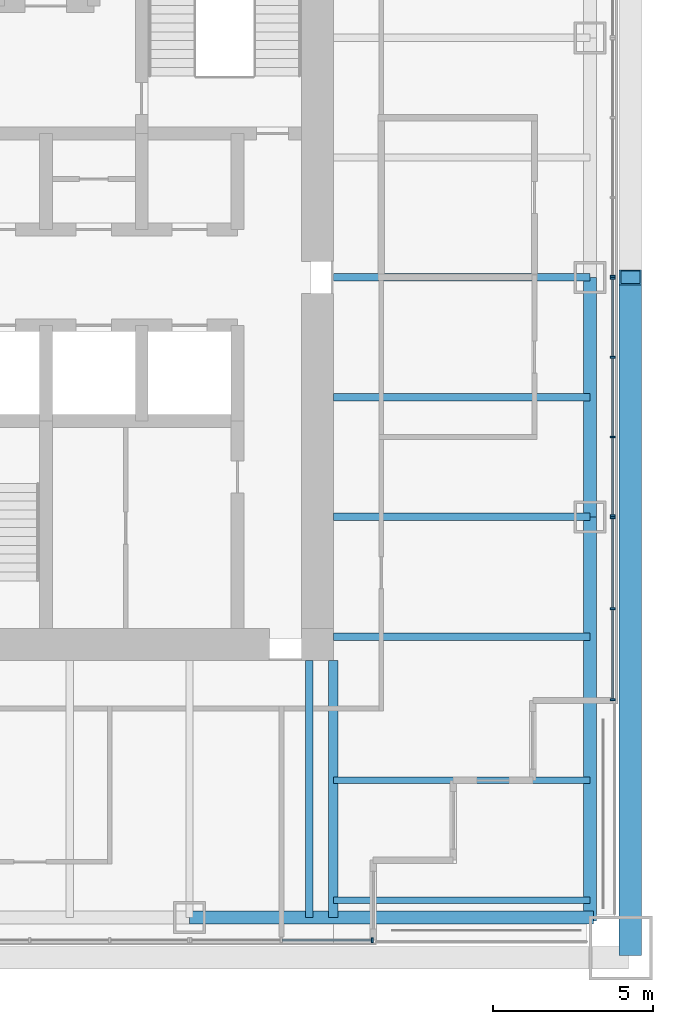
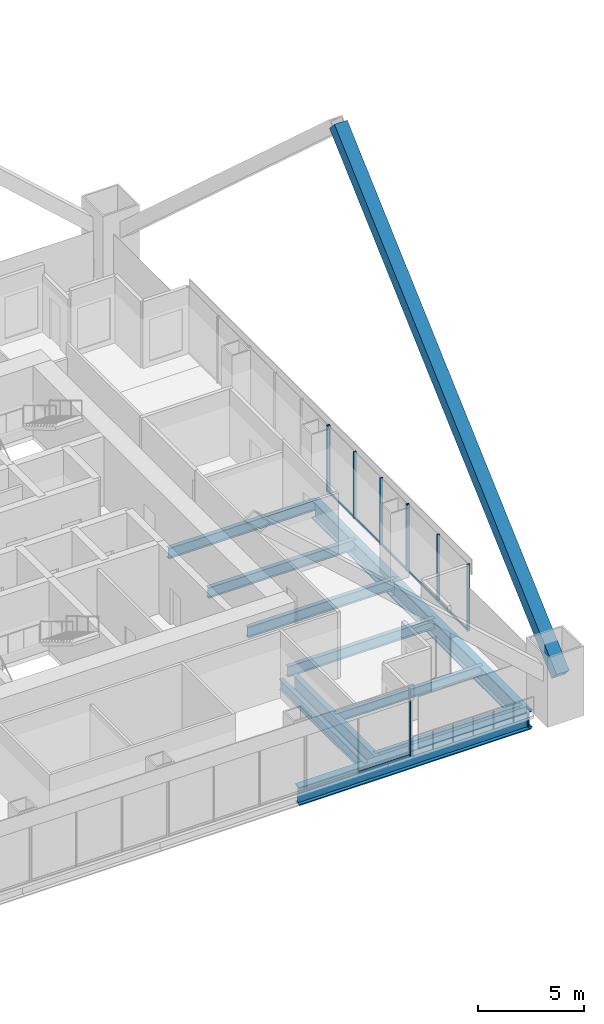
# One storey, part 7 of 18: 16 members, 11 beams, 4 elements without a shape of their own.
"""IFC4 building model written with IfcOpenShell, lengths in metres."""

from ifc_helpers import new_model, si_unit, direction, frame, origin, origin_2d, place, context, subcontext, project, spatial, rectangle, hollow_rectangle, i_section, extrude, material, material_profile, profile_set, type_object, element, aggregate, save


model = new_model("IFC4")

# Units and contexts
model_context = context("Model", 3, precision=1e-05, world=origin(), true_north=direction((0.0, 1.0)))
body_context = subcontext(model_context, "Body", "Model", "MODEL_VIEW")
ifc_project = project(units=[si_unit("LENGTHUNIT", "METRE"), si_unit("AREAUNIT", "SQUARE_METRE"), si_unit("VOLUMEUNIT", "CUBIC_METRE"), si_unit("PLANEANGLEUNIT", "RADIAN"), si_unit("MASSUNIT", "GRAM", prefix="KILO")], contexts=[model_context])

# Site, building, storey
site_placement = place(None, origin())
site = spatial("IfcSite", under=ifc_project, at=site_placement, CompositionType="ELEMENT")
building_placement = place(site_placement, origin())
building = spatial("IfcBuilding", under=site, at=building_placement, Name="Tarangal Relay Tower", CompositionType="ELEMENT")
storey_placement = place(building_placement, frame((0.0, 0.0, 295.89990234375)))
storey = spatial("IfcBuildingStorey", under=building, at=storey_placement, Name="L65", CompositionType="ELEMENT", Elevation=295.89990234375)

# Beams
ifc_material_1 = material(Name="Steel ASTM A992", Category="steel")
ifc_material_profile_1 = material_profile(ifc_material_1, i_section(OverallWidth=0.209228515625, OverallDepth=0.533447265625, WebThickness=0.01025390625, FlangeThickness=0.015625, at=origin_2d()), Name="W21X62")
ifc_profile_set_1 = profile_set([ifc_material_profile_1], Name="Steel ASTM A992")
beam_type_1 = type_object("IfcBeamType", Name="Corner beam W21X62", PredefinedType="JOIST", material=ifc_profile_set_1)
for number, where, z_axis, x_axis, name in (
    (1, (12.0, -15.75, -0.41650390625), (1.0, 0.0, 0.0), (0.0, 1.0, 0.0), "Corner beam CB12 E L65"),
    (2, (12.0, -19.5, -0.41650390625), (1.0, 0.0, 0.0), (0.0, 1.0, 0.0), "Corner beam CB12 E L65"),
):
    element("IfcBeam", number, at=place(storey_placement, frame(where, z_axis=z_axis, x_axis=x_axis)), inside=storey, type_object=beam_type_1, Name=name, PredefinedType="JOIST", context=body_context, shape_type="SweptSolid", body=[
        extrude(i_section(OverallWidth=0.209228515625, OverallDepth=0.533447265625, WebThickness=0.01025390625, FlangeThickness=0.015625, at=origin_2d()), origin(), (0.0, 0.0, 1.0), 8.0400390625),
    ])
ifc_material_profile_2 = material_profile(ifc_material_1, i_section(OverallWidth=0.2919921875, OverallDepth=0.8408203125, WebThickness=0.0146484375, FlangeThickness=0.021728515625, at=origin_2d()), Name="W33X130")
ifc_profile_set_2 = profile_set([ifc_material_profile_2], Name="Steel ASTM A992")
beam_type_2 = type_object("IfcBeamType", Name="Corner girder W33X130", PredefinedType="BEAM", material=ifc_profile_set_2)
beam_1_placement = place(storey_placement, frame((12.0, -12.0, -0.5703125), z_axis=(0.0, -1.0, 0.0), x_axis=(1.0, 0.0, 0.0)))
element("IfcBeam", 3, at=beam_1_placement, inside=storey, type_object=beam_type_2, Name="Corner girder CG5 E L65", PredefinedType="BEAM", context=body_context, shape_type="SweptSolid", body=[
    extrude(i_section(OverallWidth=0.2919921875, OverallDepth=0.8408203125, WebThickness=0.0146484375, FlangeThickness=0.021728515625, at=origin_2d()), origin(), (0.0, 0.0, 1.0), 8.0400390625),
])
ifc_material_profile_3 = material_profile(ifc_material_1, i_section(OverallWidth=0.41162109375, OverallDepth=1.049072265625, WebThickness=0.033935546875, FlangeThickness=0.059814453125, at=origin_2d()), Name="W40X431")
ifc_profile_set_3 = profile_set([ifc_material_profile_3], Name="Steel ASTM A992")
beam_type_3 = type_object("IfcBeamType", Name="Edge girder W40X431", PredefinedType="SPANDREL", material=ifc_profile_set_3)
beam_2_placement = place(storey_placement, frame((20.0400390625, 0.0, -0.67431640625), z_axis=(0.0, -1.0, 0.0), x_axis=(1.0, 0.0, 0.0)))
element("IfcBeam", 4, at=beam_2_placement, inside=storey, type_object=beam_type_3, Name="Edge girder EG1 E L65", PredefinedType="SPANDREL", context=body_context, shape_type="SweptSolid", body=[
    extrude(i_section(OverallWidth=0.41162109375, OverallDepth=1.049072265625, WebThickness=0.033935546875, FlangeThickness=0.059814453125, at=origin_2d()), origin(), (0.0, 0.0, 1.0), 7.5),
])
for number, where, z_axis, x_axis, name in (
    (5, (20.0400390625, -7.5, -0.67431640625), (0.0, -1.0, 0.0), (1.0, 0.0, 0.0), "Edge girder EG1 E L65"),
    (6, (20.14990234375, -20.0400390625, -0.67431640625), (-1.0, 0.0, 0.0), (0.0, -1.0, 0.0), "Edge girder EG1 S L65"),
):
    element("IfcBeam", number, at=place(storey_placement, frame(where, z_axis=z_axis, x_axis=x_axis)), inside=storey, type_object=beam_type_3, Name=name, PredefinedType="SPANDREL", context=body_context, shape_type="SweptSolid", body=[
        extrude(i_section(OverallWidth=0.41162109375, OverallDepth=1.049072265625, WebThickness=0.033935546875, FlangeThickness=0.059814453125, at=origin_2d()), origin(), (0.0, 0.0, 1.0), 12.64990234375),
    ])
ifc_material_profile_4 = material_profile(ifc_material_1, i_section(OverallWidth=0.228271484375, OverallDepth=0.607177734375, WebThickness=0.01123046875, FlangeThickness=0.017333984375, at=origin_2d()), Name="W24X76")
ifc_profile_set_4 = profile_set([ifc_material_profile_4], Name="Steel ASTM A992")
beam_type_4 = type_object("IfcBeamType", Name="Floor beam W24X76", PredefinedType="BEAM", material=ifc_profile_set_4)
for number, where, z_axis, x_axis, name in (
    (7, (12.0, 0.0, -0.453369140625), (1.0, 0.0, 0.0), (0.0, 1.0, 0.0), "Floor beam RB5 E L65"),
    (8, (12.0, -3.75, -0.453369140625), (1.0, 0.0, 0.0), (0.0, 1.0, 0.0), "Floor beam RB5 E L65"),
    (9, (12.0, -7.5, -0.453369140625), (1.0, 0.0, 0.0), (0.0, 1.0, 0.0), "Floor beam RB5 E L65"),
    (10, (12.0, -11.25, -0.453369140625), (1.0, 0.0, 0.0), (0.0, 1.0, 0.0), "Floor beam RB5 E L65"),
    (11, (11.25, -12.0, -0.453369140625), (0.0, -1.0, 0.0), (1.0, 0.0, 0.0), "Floor beam RB5 S L65"),
):
    element("IfcBeam", number, at=place(storey_placement, frame(where, z_axis=z_axis, x_axis=x_axis)), inside=storey, type_object=beam_type_4, Name=name, PredefinedType="BEAM", context=body_context, shape_type="SweptSolid", body=[
        extrude(i_section(OverallWidth=0.228271484375, OverallDepth=0.607177734375, WebThickness=0.01123046875, FlangeThickness=0.017333984375, at=origin_2d()), origin(), (0.0, 0.0, 1.0), 8.0400390625),
    ])

# Member
ifc_material_2 = material(Name="Steel ASTM A572 Grade 50", Category="steel")
ifc_material_profile_5 = material_profile(ifc_material_2, hollow_rectangle(XDim=0.699951171875, YDim=0.699951171875, WallThickness=0.052001953125, at=origin_2d()), Name="BOX700X700X52")
ifc_profile_set_5 = profile_set([ifc_material_profile_5], Name="Steel ASTM A572 Grade 50")
member_type_1 = type_object("IfcMemberType", Name="Mega brace BOX700X700X52", PredefinedType="BRACE", material=ifc_profile_set_5)
member_1_placement = place(storey_placement, frame((21.300048828125, -21.0, 2.0), z_axis=(0.0, 0.741535779124, 0.670913323969), x_axis=(-1.0, 0.0, 0.0)))
element("IfcMember", 12, at=member_1_placement, inside=storey, type_object=member_type_1, Name="Mega brace MB4 E face module 2", PredefinedType="BRACE", context=body_context, shape_type="SweptSolid", body=[
    extrude(hollow_rectangle(XDim=0.699951171875, YDim=0.699951171875, WallThickness=0.052001953125, at=origin_2d()), origin(), (0.0, 0.0, 1.0), 28.319580078125),
])

# Curtain wall, member
ifc_material_3 = material(Name="Unitised curtain wall, dark glass and black aluminium", Category="aluminium")
curtain_wall_type = type_object("IfcCurtainWallType", Name="Curtain wall CW-B", PredefinedType="USERDEFINED", material=ifc_material_3)
curtain_wall_1_placement = place(storey_placement, origin())
curtain_wall_1 = element("IfcCurtainWall", 13, at=curtain_wall_1_placement, inside=storey, type_object=curtain_wall_type, Name="Curtain wall CW-B E facade L65", ObjectType="UNITISED CURTAIN WALL", PredefinedType="USERDEFINED")
ifc_material_4 = material(Name="Black anodised aluminium mullion", Category="aluminium")
ifc_material_profile_6 = material_profile(ifc_material_4, rectangle(XDim=0.159912109375, YDim=0.06005859375, at=origin_2d()), Name="CW-BM 60X160")
ifc_profile_set_6 = profile_set([ifc_material_profile_6], Name="Black anodised aluminium mullion")
member_type_2 = type_object("IfcMemberType", Name="Mullion CW-B 60 x 160", PredefinedType="MULLION", material=ifc_profile_set_6)
member_2_placement = place(storey_placement, frame((20.75, 0.030029296875, 0.0), z_axis=(0.0, 0.0, 1.0), x_axis=(1.0, 0.0, 0.0)))
member_2 = element("IfcMember", 14, at=member_2_placement, type_object=member_type_2, Name="CW-B mullion 4", PredefinedType="MULLION", context=body_context, shape_type="SweptSolid", body=[
    extrude(rectangle(XDim=0.159912109375, YDim=0.06005859375, at=origin_2d()), origin(), (0.0, 0.0, 1.0), 3.85009765625),
])
aggregate(curtain_wall_1, [member_2])

# Curtain wall, members
curtain_wall_2_placement = place(storey_placement, origin())
curtain_wall_2 = element("IfcCurtainWall", 15, at=curtain_wall_2_placement, inside=storey, type_object=curtain_wall_type, Name="Curtain wall CW-B E facade L65", ObjectType="UNITISED CURTAIN WALL", PredefinedType="USERDEFINED")
member_3_placement = place(storey_placement, frame((20.75, -0.030029296875, 0.0), z_axis=(0.0, 0.0, 1.0), x_axis=(1.0, 0.0, 0.0)))
member_3 = element("IfcMember", 16, at=member_3_placement, type_object=member_type_2, Name="CW-B mullion 1", PredefinedType="MULLION", context=body_context, shape_type="SweptSolid", body=[
    extrude(rectangle(XDim=0.159912109375, YDim=0.06005859375, at=origin_2d()), origin(), (0.0, 0.0, 1.0), 3.85009765625),
])
member_4_placement = place(storey_placement, frame((20.75, -2.5, 0.0), z_axis=(0.0, 0.0, 1.0), x_axis=(1.0, 0.0, 0.0)))
member_4 = element("IfcMember", 17, at=member_4_placement, type_object=member_type_2, Name="CW-B mullion 2", PredefinedType="MULLION", context=body_context, shape_type="SweptSolid", body=[
    extrude(rectangle(XDim=0.159912109375, YDim=0.06005859375, at=origin_2d()), origin(), (0.0, 0.0, 1.0), 3.85009765625),
])
member_5_placement = place(storey_placement, frame((20.75, -5.0, 0.0), z_axis=(0.0, 0.0, 1.0), x_axis=(1.0, 0.0, 0.0)))
member_5 = element("IfcMember", 18, at=member_5_placement, type_object=member_type_2, Name="CW-B mullion 3", PredefinedType="MULLION", context=body_context, shape_type="SweptSolid", body=[
    extrude(rectangle(XDim=0.159912109375, YDim=0.06005859375, at=origin_2d()), origin(), (0.0, 0.0, 1.0), 3.85009765625),
])
member_6_placement = place(storey_placement, frame((20.75, -7.469970703125, 0.0), z_axis=(0.0, 0.0, 1.0), x_axis=(1.0, 0.0, 0.0)))
member_6 = element("IfcMember", 19, at=member_6_placement, type_object=member_type_2, Name="CW-B mullion 4", PredefinedType="MULLION", context=body_context, shape_type="SweptSolid", body=[
    extrude(rectangle(XDim=0.159912109375, YDim=0.06005859375, at=origin_2d()), origin(), (0.0, 0.0, 1.0), 3.85009765625),
])

curtain_wall_3_placement = place(storey_placement, origin())
curtain_wall_3 = element("IfcCurtainWall", 20, at=curtain_wall_3_placement, inside=storey, type_object=curtain_wall_type, Name="Curtain wall CW-B E facade L65", ObjectType="UNITISED CURTAIN WALL", PredefinedType="USERDEFINED")
member_7_placement = place(storey_placement, frame((20.75, -7.530029296875, 0.0), z_axis=(0.0, 0.0, 1.0), x_axis=(1.0, 0.0, 0.0)))
member_7 = element("IfcMember", 21, at=member_7_placement, type_object=member_type_2, Name="CW-B mullion 1", PredefinedType="MULLION", context=body_context, shape_type="SweptSolid", body=[
    extrude(rectangle(XDim=0.159912109375, YDim=0.06005859375, at=origin_2d()), origin(), (0.0, 0.0, 1.0), 3.85009765625),
])
member_8_placement = place(storey_placement, frame((20.75, -10.375, 0.0), z_axis=(0.0, 0.0, 1.0), x_axis=(1.0, 0.0, 0.0)))
member_8 = element("IfcMember", 22, at=member_8_placement, type_object=member_type_2, Name="CW-B mullion 2", PredefinedType="MULLION", context=body_context, shape_type="SweptSolid", body=[
    extrude(rectangle(XDim=0.159912109375, YDim=0.06005859375, at=origin_2d()), origin(), (0.0, 0.0, 1.0), 3.85009765625),
])
member_9_placement = place(storey_placement, frame((20.75, -13.219970703125, 0.0), z_axis=(0.0, 0.0, 1.0), x_axis=(1.0, 0.0, 0.0)))
member_9 = element("IfcMember", 23, at=member_9_placement, type_object=member_type_2, Name="CW-B mullion 3", PredefinedType="MULLION", context=body_context, shape_type="SweptSolid", body=[
    extrude(rectangle(XDim=0.159912109375, YDim=0.06005859375, at=origin_2d()), origin(), (0.0, 0.0, 1.0), 3.85009765625),
])

# Curtain wall, member
curtain_wall_4_placement = place(storey_placement, origin())
curtain_wall_4 = element("IfcCurtainWall", 24, at=curtain_wall_4_placement, inside=storey, type_object=curtain_wall_type, Name="Curtain wall CW-B S facade L65", ObjectType="UNITISED CURTAIN WALL", PredefinedType="USERDEFINED")
member_10_placement = place(storey_placement, frame((13.219970703125, -20.75, 0.0), z_axis=(0.0, 0.0, 1.0), x_axis=(0.0, -1.0, 0.0)))
member_10 = element("IfcMember", 25, at=member_10_placement, type_object=member_type_2, Name="CW-B mullion 1", PredefinedType="MULLION", context=body_context, shape_type="SweptSolid", body=[
    extrude(rectangle(XDim=0.159912109375, YDim=0.06005859375, at=origin_2d()), origin(), (0.0, 0.0, 1.0), 3.85009765625),
])

# Member
ifc_material_5 = material(Name="Black anodised aluminium transom", Category="aluminium")
ifc_material_profile_7 = material_profile(ifc_material_5, rectangle(XDim=0.06005859375, YDim=0.1298828125, at=origin_2d()), Name="CW-BT 60X130")
ifc_profile_set_7 = profile_set([ifc_material_profile_7], Name="Black anodised aluminium transom")
member_type_3 = type_object("IfcMemberType", Name="Transom CW-B 60 x 130", PredefinedType="USERDEFINED", material=ifc_profile_set_7)
member_11_placement = place(storey_placement, frame((20.75, -0.06005859375, 0.030029296875), z_axis=(0.0, -1.0, 0.0), x_axis=(1.0, 0.0, 0.0)))
member_11 = element("IfcMember", 26, at=member_11_placement, type_object=member_type_3, Name="CW-B transom 1.1", ObjectType="TRANSOM", PredefinedType="USERDEFINED", context=body_context, shape_type="SweptSolid", body=[
    extrude(rectangle(XDim=0.06005859375, YDim=0.1298828125, at=origin_2d()), origin(), (0.0, 0.0, 1.0), 2.409912109375),
])

member_12_placement = place(storey_placement, frame((20.75, -2.530029296875, 0.030029296875), z_axis=(0.0, -1.0, 0.0), x_axis=(1.0, 0.0, 0.0)))
member_12 = element("IfcMember", 27, at=member_12_placement, type_object=member_type_3, Name="CW-B transom 2.1", ObjectType="TRANSOM", PredefinedType="USERDEFINED", context=body_context, shape_type="SweptSolid", body=[
    extrude(rectangle(XDim=0.06005859375, YDim=0.1298828125, at=origin_2d()), origin(), (0.0, 0.0, 1.0), 2.43994140625),
])

member_13_placement = place(storey_placement, frame((20.75, -5.030029296875, 0.030029296875), z_axis=(0.0, -1.0, 0.0), x_axis=(1.0, 0.0, 0.0)))
member_13 = element("IfcMember", 28, at=member_13_placement, type_object=member_type_3, Name="CW-B transom 3.1", ObjectType="TRANSOM", PredefinedType="USERDEFINED", context=body_context, shape_type="SweptSolid", body=[
    extrude(rectangle(XDim=0.06005859375, YDim=0.1298828125, at=origin_2d()), origin(), (0.0, 0.0, 1.0), 2.409912109375),
])

aggregate(curtain_wall_2, [member_3, member_4, member_5, member_6, member_11, member_12, member_13])

member_14_placement = place(storey_placement, frame((20.75, -7.56005859375, 0.030029296875), z_axis=(0.0, -1.0, 0.0), x_axis=(1.0, 0.0, 0.0)))
member_14 = element("IfcMember", 29, at=member_14_placement, type_object=member_type_3, Name="CW-B transom 1.1", ObjectType="TRANSOM", PredefinedType="USERDEFINED", context=body_context, shape_type="SweptSolid", body=[
    extrude(rectangle(XDim=0.06005859375, YDim=0.1298828125, at=origin_2d()), origin(), (0.0, 0.0, 1.0), 2.784912109375),
])

member_15_placement = place(storey_placement, frame((20.75, -10.405029296875, 0.030029296875), z_axis=(0.0, -1.0, 0.0), x_axis=(1.0, 0.0, 0.0)))
member_15 = element("IfcMember", 30, at=member_15_placement, type_object=member_type_3, Name="CW-B transom 2.1", ObjectType="TRANSOM", PredefinedType="USERDEFINED", context=body_context, shape_type="SweptSolid", body=[
    extrude(rectangle(XDim=0.06005859375, YDim=0.1298828125, at=origin_2d()), origin(), (0.0, 0.0, 1.0), 2.784912109375),
])

aggregate(curtain_wall_3, [member_7, member_8, member_9, member_14, member_15])

member_16_placement = place(storey_placement, frame((13.18994140625, -20.75, 0.030029296875), z_axis=(-1.0, 0.0, 0.0), x_axis=(0.0, -1.0, 0.0)))
member_16 = element("IfcMember", 31, at=member_16_placement, type_object=member_type_3, Name="CW-B transom 1.1", ObjectType="TRANSOM", PredefinedType="USERDEFINED", context=body_context, shape_type="SweptSolid", body=[
    extrude(rectangle(XDim=0.06005859375, YDim=0.1298828125, at=origin_2d()), origin(), (0.0, 0.0, 1.0), 2.784912109375),
])

aggregate(curtain_wall_4, [member_10, member_16])

save(model, "model.ifc")
